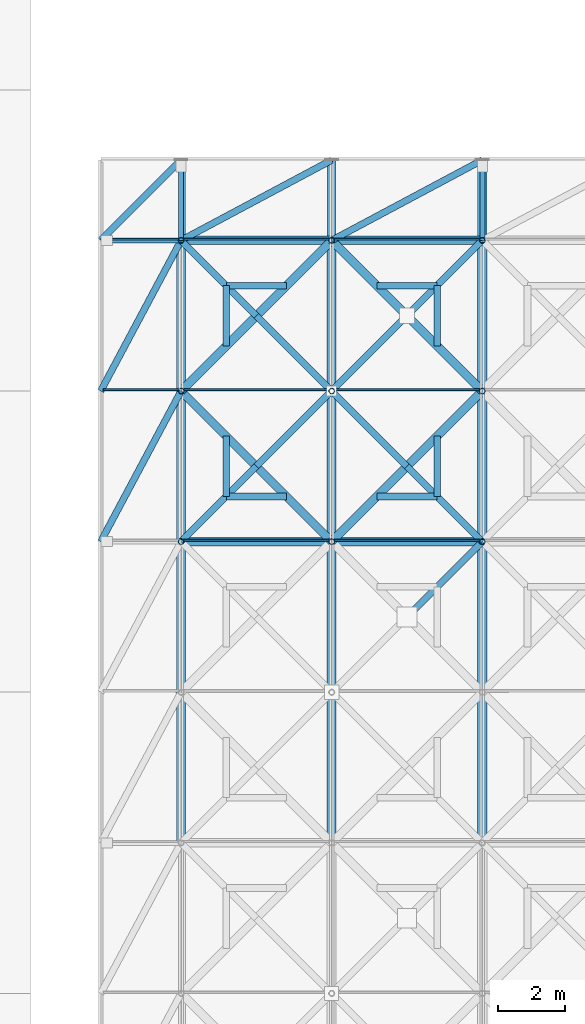
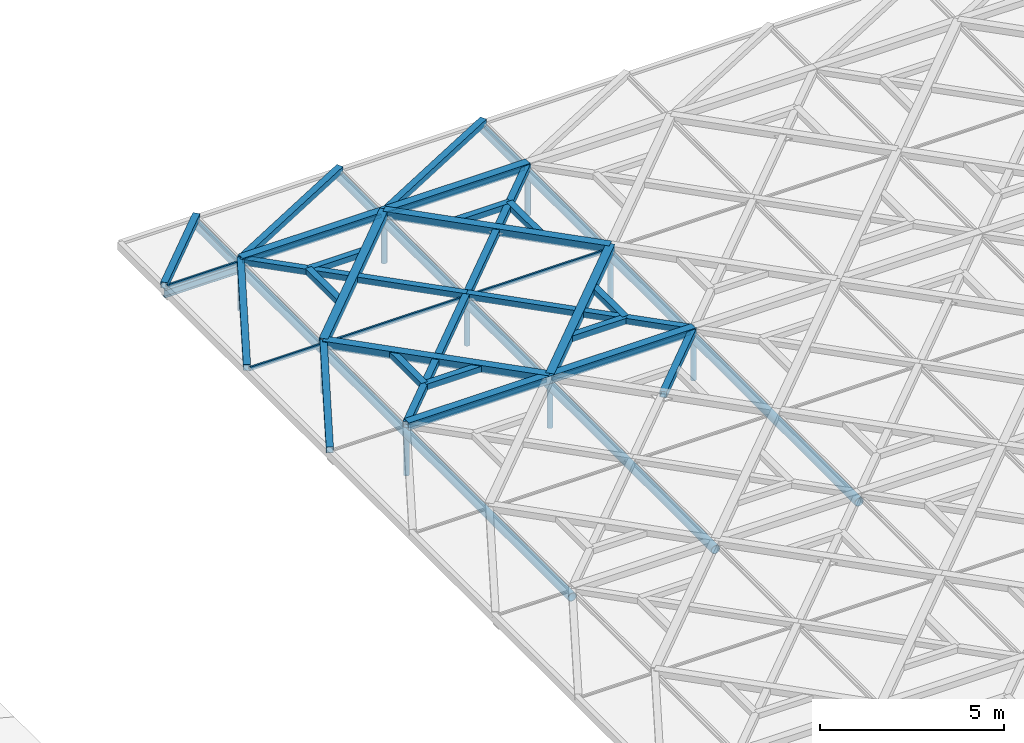
# One storey, part 16 of 80: 47 members, 3 beams, 3 elements without a shape of their own.
"""IFC4 building model written with IfcOpenShell, lengths in metres."""

from ifc_helpers import new_model, si_unit, direction, frame, origin, origin_2d, place, context, subcontext, project, spatial, rectangle, hollow_rectangle, hollow_circle, i_section, extrude, material, material_profile, profile_set, type_object, element, aggregate, save


model = new_model("IFC4")

# Units and contexts
model_context = context("Model", 3, precision=1e-05, world=origin(), true_north=direction((0.0, 1.0)))
body_context = subcontext(model_context, "Body", "Model", "MODEL_VIEW")
ifc_project = project(units=[si_unit("LENGTHUNIT", "METRE"), si_unit("AREAUNIT", "SQUARE_METRE"), si_unit("VOLUMEUNIT", "CUBIC_METRE"), si_unit("PLANEANGLEUNIT", "RADIAN"), si_unit("MASSUNIT", "GRAM", prefix="KILO"), si_unit("THERMODYNAMICTEMPERATUREUNIT", "KELVIN"), si_unit("POWERUNIT", "WATT")], contexts=[model_context])

# Site, building, storey
site_placement = place(None, origin())
site = spatial("IfcSite", under=ifc_project, at=site_placement, CompositionType="ELEMENT")
building_placement = place(site_placement, origin())
building = spatial("IfcBuilding", under=site, at=building_placement, Name="Tallowbark Science Centre", CompositionType="ELEMENT")
storey_placement = place(building_placement, frame((0.0, 0.0, 25.949951171875)))
storey = spatial("IfcBuildingStorey", under=building, at=storey_placement, Name="ROOF", CompositionType="ELEMENT", Elevation=25.949951171875)

# Beams
ifc_material_1 = material(Name="White Architectural Painted Steel Grade C350L0 (350 MPa)", Category="steel")
ifc_material_profile_1 = material_profile(ifc_material_1, i_section(OverallWidth=0.146484375, OverallDepth=0.256103515625, WebThickness=0.00634765625, FlangeThickness=0.010986328125, FilletRadius=0.0087890625, at=origin_2d()), Name="250UB37.3")
ifc_profile_set_1 = profile_set([ifc_material_profile_1], Name="White Architectural Painted Steel Grade C350L0 (350 MPa)")
beam_type = type_object("IfcBeamType", Name="BM-OUT250", PredefinedType="BEAM", material=ifc_profile_set_1)
for number, where, z_axis, x_axis, name in (
    (1, (58.5, 40.5, 0.199951171875), (0.0, 1.0, 0.0), (-1.0, 0.0, 0.0), "Star Screen Outrigger Tie Beam N-102"),
    (2, (67.5, 40.5, 0.199951171875), (0.0, 1.0, 0.0), (-1.0, 0.0, 0.0), "Star Screen Outrigger Tie Beam N-104"),
    (3, (58.5, 40.5, 0.199951171875), (-1.0, 0.0, 0.0), (0.0, -1.0, 0.0), "Star Screen Outrigger Tie Beam W-121"),
):
    element("IfcBeam", number, at=place(storey_placement, frame(where, z_axis=z_axis, x_axis=x_axis)), inside=storey, type_object=beam_type, Name=name, PredefinedType="BEAM", context=body_context, shape_type="SweptSolid", body=[
        extrude(i_section(OverallWidth=0.146484375, OverallDepth=0.256103515625, WebThickness=0.00634765625, FlangeThickness=0.010986328125, FilletRadius=0.0087890625, at=origin_2d()), origin(), (0.0, 0.0, 1.0), 2.39990234375),
    ])

# Curtain wall, members
ifc_material_2 = material(Name="Blue-Tinted Laminated Low-E Skylight Glass", Category="glass")
curtain_wall_type = type_object("IfcCurtainWallType", Name="CW-SKY-ROOF", PredefinedType="NOTDEFINED", material=ifc_material_2)
curtain_wall_1_placement = place(storey_placement, origin())
curtain_wall_1 = element("IfcCurtainWall", 4, at=curtain_wall_1_placement, inside=storey, type_object=curtain_wall_type, Name="Exhibition Star-Screen Skylight Bay 1", PredefinedType="NOTDEFINED")
ifc_material_3 = material(Name="Anodised Architectural Aluminium Alloy 6063-T6", Category="aluminium")
ifc_material_profile_2 = material_profile(ifc_material_3, rectangle(XDim=0.054931640625, YDim=0.1201171875, at=origin_2d()), Name="ALU55x120")
ifc_profile_set_2 = profile_set([ifc_material_profile_2], Name="Anodised Architectural Aluminium Alloy 6063-T6")
member_type_1 = type_object("IfcMemberType", Name="CWM-SKY-TRN", PredefinedType="USERDEFINED", material=ifc_profile_set_2)
member_1_placement = place(storey_placement, frame((56.179931640625, 36.0400390625, 0.35205078125), z_axis=(1.0, 0.0, 0.0), x_axis=(0.0, 1.0, 0.0)))
member_1 = element("IfcMember", 5, at=member_1_placement, type_object=member_type_1, Name="Skylight Bay 1 Transom 9", ObjectType="TRANSOM", PredefinedType="USERDEFINED", context=body_context, shape_type="SweptSolid", body=[
    extrude(rectangle(XDim=0.054931640625, YDim=0.1201171875, at=origin_2d()), origin(), (0.0, 0.0, 1.0), 2.239990234375),
])
member_2_placement = place(storey_placement, frame((56.179931640625, 40.5400390625, 0.35205078125), z_axis=(1.0, 0.0, 0.0), x_axis=(0.0, 1.0, 0.0)))
member_2 = element("IfcMember", 6, at=member_2_placement, type_object=member_type_1, Name="Skylight Bay 1 Transom 10", ObjectType="TRANSOM", PredefinedType="USERDEFINED", context=body_context, shape_type="SweptSolid", body=[
    extrude(rectangle(XDim=0.054931640625, YDim=0.1201171875, at=origin_2d()), origin(), (0.0, 0.0, 1.0), 2.239990234375),
])
aggregate(curtain_wall_1, [member_1, member_2])

curtain_wall_2_placement = place(storey_placement, origin())
curtain_wall_2 = element("IfcCurtainWall", 7, at=curtain_wall_2_placement, inside=storey, type_object=curtain_wall_type, Name="Exhibition Star-Screen Skylight Bay 2", PredefinedType="NOTDEFINED")
member_3_placement = place(storey_placement, frame((58.580078125, 31.5400390625, 0.35205078125), z_axis=(1.0, 0.0, 0.0), x_axis=(0.0, 1.0, 0.0)))
member_3 = element("IfcMember", 8, at=member_3_placement, type_object=member_type_1, Name="Skylight Bay 2 Transom 8", ObjectType="TRANSOM", PredefinedType="USERDEFINED", context=body_context, shape_type="SweptSolid", body=[
    extrude(rectangle(XDim=0.054931640625, YDim=0.1201171875, at=origin_2d()), origin(), (0.0, 0.0, 1.0), 4.33984375),
])
member_4_placement = place(storey_placement, frame((58.580078125, 36.0400390625, 0.35205078125), z_axis=(1.0, 0.0, 0.0), x_axis=(0.0, 1.0, 0.0)))
member_4 = element("IfcMember", 9, at=member_4_placement, type_object=member_type_1, Name="Skylight Bay 2 Transom 9", ObjectType="TRANSOM", PredefinedType="USERDEFINED", context=body_context, shape_type="SweptSolid", body=[
    extrude(rectangle(XDim=0.054931640625, YDim=0.1201171875, at=origin_2d()), origin(), (0.0, 0.0, 1.0), 4.33984375),
])
member_5_placement = place(storey_placement, frame((58.580078125, 40.5400390625, 0.35205078125), z_axis=(1.0, 0.0, 0.0), x_axis=(0.0, 1.0, 0.0)))
member_5 = element("IfcMember", 10, at=member_5_placement, type_object=member_type_1, Name="Skylight Bay 2 Transom 10", ObjectType="TRANSOM", PredefinedType="USERDEFINED", context=body_context, shape_type="SweptSolid", body=[
    extrude(rectangle(XDim=0.054931640625, YDim=0.1201171875, at=origin_2d()), origin(), (0.0, 0.0, 1.0), 4.33984375),
])
aggregate(curtain_wall_2, [member_3, member_4, member_5])

curtain_wall_3_placement = place(storey_placement, origin())
curtain_wall_3 = element("IfcCurtainWall", 11, at=curtain_wall_3_placement, inside=storey, type_object=curtain_wall_type, Name="Exhibition Star-Screen Skylight Bay 3", PredefinedType="NOTDEFINED")
member_6_placement = place(storey_placement, frame((63.080078125, 31.5400390625, 0.35205078125), z_axis=(1.0, 0.0, 0.0), x_axis=(0.0, 1.0, 0.0)))
member_6 = element("IfcMember", 12, at=member_6_placement, type_object=member_type_1, Name="Skylight Bay 3 Transom 8", ObjectType="TRANSOM", PredefinedType="USERDEFINED", context=body_context, shape_type="SweptSolid", body=[
    extrude(rectangle(XDim=0.054931640625, YDim=0.1201171875, at=origin_2d()), origin(), (0.0, 0.0, 1.0), 4.33984375),
])
member_7_placement = place(storey_placement, frame((63.080078125, 36.0400390625, 0.35205078125), z_axis=(1.0, 0.0, 0.0), x_axis=(0.0, 1.0, 0.0)))
member_7 = element("IfcMember", 13, at=member_7_placement, type_object=member_type_1, Name="Skylight Bay 3 Transom 9", ObjectType="TRANSOM", PredefinedType="USERDEFINED", context=body_context, shape_type="SweptSolid", body=[
    extrude(rectangle(XDim=0.054931640625, YDim=0.1201171875, at=origin_2d()), origin(), (0.0, 0.0, 1.0), 4.33984375),
])
member_8_placement = place(storey_placement, frame((63.080078125, 40.5400390625, 0.35205078125), z_axis=(1.0, 0.0, 0.0), x_axis=(0.0, 1.0, 0.0)))
member_8 = element("IfcMember", 14, at=member_8_placement, type_object=member_type_1, Name="Skylight Bay 3 Transom 10", ObjectType="TRANSOM", PredefinedType="USERDEFINED", context=body_context, shape_type="SweptSolid", body=[
    extrude(rectangle(XDim=0.054931640625, YDim=0.1201171875, at=origin_2d()), origin(), (0.0, 0.0, 1.0), 4.33984375),
])
aggregate(curtain_wall_3, [member_6, member_7, member_8])

# Members
ifc_material_profile_3 = material_profile(ifc_material_1, hollow_rectangle(XDim=0.25, YDim=0.25, WallThickness=0.009033203125, at=origin_2d()), Name="250x250x9.0SHS")
ifc_profile_set_3 = profile_set([ifc_material_profile_3], Name="White Architectural Painted Steel Grade C350L0 (350 MPa)")
member_type_2 = type_object("IfcMemberType", Name="SCR-CHD200", PredefinedType="CHORD", material=ifc_profile_set_3)
for number, where, z_axis, x_axis, name in (
    (15, (58.5, 31.5, 0.449951171875), (1.0, 0.0, 0.0), (0.0, 1.0, 0.0), "Star Screen Frame Chord TOP-56"),
    (16, (58.5, 40.5, 0.449951171875), (1.0, 0.0, 0.0), (0.0, 1.0, 0.0), "Star Screen Frame Chord TOP-57"),
):
    element("IfcMember", number, at=place(storey_placement, frame(where, z_axis=z_axis, x_axis=x_axis)), inside=storey, type_object=member_type_2, Name=name, PredefinedType="CHORD", context=body_context, shape_type="SweptSolid", body=[
        extrude(hollow_rectangle(XDim=0.25, YDim=0.25, WallThickness=0.009033203125, at=origin_2d()), origin(), (0.0, 0.0, 1.0), 9.0),
    ])
for number, where, z_axis, x_axis, name in (
    (17, (63.0, 31.5, 0.449951171875), (0.707106781187, 0.707106781187, 0.0), (-0.707106781187, 0.707106781187, 0.0), "Star Screen Octagram Diamond Chord TOP-57-1"),
    (18, (67.5, 36.0, 0.449951171875), (-0.707106781187, 0.707106781187, 0.0), (-0.707106781187, -0.707106781187, 0.0), "Star Screen Octagram Diamond Chord TOP-57-2"),
    (19, (63.0, 40.5, 0.449951171875), (-0.707106781187, -0.707106781187, 0.0), (0.707106781187, -0.707106781187, 0.0), "Star Screen Octagram Diamond Chord TOP-57-3"),
    (20, (58.5, 36.0, 0.449951171875), (0.707106781187, -0.707106781187, 0.0), (0.707106781187, 0.707106781187, 0.0), "Star Screen Octagram Diamond Chord TOP-57-4"),
):
    element("IfcMember", number, at=place(storey_placement, frame(where, z_axis=z_axis, x_axis=x_axis)), inside=storey, type_object=member_type_2, Name=name, PredefinedType="CHORD", context=body_context, shape_type="SweptSolid", body=[
        extrude(hollow_rectangle(XDim=0.25, YDim=0.25, WallThickness=0.009033203125, at=origin_2d()), origin(), (0.0, 0.0, 1.0), 6.364013671875),
    ])
ifc_material_profile_4 = material_profile(ifc_material_1, hollow_rectangle(XDim=0.199951171875, YDim=0.199951171875, WallThickness=0.009033203125, at=origin_2d()), Name="200x200x9.0SHS")
ifc_profile_set_4 = profile_set([ifc_material_profile_4], Name="White Architectural Painted Steel Grade C350L0 (350 MPa)")
member_type_3 = type_object("IfcMemberType", Name="SCR-STAR139", PredefinedType="BRACE", material=ifc_profile_set_4)
for number, where, z_axis, x_axis, name in (
    (21, (65.25, 29.25, 0.449951171875), (0.707106781187, 0.707106781187, 0.0), (-0.707106781187, 0.707106781187, 0.0), "Star Screen Continuous X-Diagonal D1B TOP-56"),
    (22, (58.5, 31.5, 0.449951171875), (0.707106781187, 0.707106781187, 0.0), (-0.707106781187, 0.707106781187, 0.0), "Star Screen Continuous X-Diagonal D1A TOP-57"),
):
    element("IfcMember", number, at=place(storey_placement, frame(where, z_axis=z_axis, x_axis=x_axis)), inside=storey, type_object=member_type_3, Name=name, PredefinedType="BRACE", context=body_context, shape_type="SweptSolid", body=[
        extrude(hollow_rectangle(XDim=0.199951171875, YDim=0.199951171875, WallThickness=0.009033203125, at=origin_2d()), origin(), (0.0, 0.0, 1.0), 3.181884765625),
    ])
member_9_placement = place(storey_placement, frame((60.75, 33.75, 0.449951171875), z_axis=(0.707106781187, 0.707106781187, 0.0), x_axis=(-0.707106781187, 0.707106781187, 0.0)))
element("IfcMember", 23, at=member_9_placement, inside=storey, type_object=member_type_3, Name="Star Screen Continuous X-Diagonal D1M TOP-57", PredefinedType="BRACE", context=body_context, shape_type="SweptSolid", body=[
    extrude(hollow_rectangle(XDim=0.199951171875, YDim=0.199951171875, WallThickness=0.009033203125, at=origin_2d()), origin(), (0.0, 0.0, 1.0), 6.364013671875),
])
for number, where, z_axis, x_axis, name in (
    (24, (65.25, 38.25, 0.449951171875), (0.707106781187, 0.707106781187, 0.0), (-0.707106781187, 0.707106781187, 0.0), "Star Screen Continuous X-Diagonal D1B TOP-57"),
    (25, (58.5, 40.5, 0.449951171875), (0.707106781187, -0.707106781187, 0.0), (0.707106781187, 0.707106781187, 0.0), "Star Screen Split X-Diagonal D2A TOP-57"),
    (26, (60.75, 38.25, 0.449951171875), (0.707106781187, -0.707106781187, 0.0), (0.707106781187, 0.707106781187, 0.0), "Star Screen Split X-Diagonal D2B TOP-57"),
    (27, (63.0, 36.0, 0.449951171875), (0.707106781187, -0.707106781187, 0.0), (0.707106781187, 0.707106781187, 0.0), "Star Screen Split X-Diagonal D2C TOP-57"),
    (28, (65.25, 33.75, 0.449951171875), (0.707106781187, -0.707106781187, 0.0), (0.707106781187, 0.707106781187, 0.0), "Star Screen Split X-Diagonal D2D TOP-57"),
):
    element("IfcMember", number, at=place(storey_placement, frame(where, z_axis=z_axis, x_axis=x_axis)), inside=storey, type_object=member_type_3, Name=name, PredefinedType="BRACE", context=body_context, shape_type="SweptSolid", body=[
        extrude(hollow_rectangle(XDim=0.199951171875, YDim=0.199951171875, WallThickness=0.009033203125, at=origin_2d()), origin(), (0.0, 0.0, 1.0), 3.181884765625),
    ])
for number, where, z_axis, x_axis, name in (
    (29, (56.10009765625, 31.5, 0.449951171875), (0.470573327259, 0.882360891967, 0.0), (-0.882360891967, 0.470573327259, 0.0), "Top Perimeter Gap Star Diagonal 1-8"),
    (30, (56.10009765625, 36.0, 0.449951171875), (0.470573327259, 0.882360891967, 0.0), (-0.882360891967, 0.470573327259, 0.0), "Top Perimeter Gap Star Diagonal 1-9"),
):
    element("IfcMember", number, at=place(storey_placement, frame(where, z_axis=z_axis, x_axis=x_axis)), inside=storey, type_object=member_type_3, Name=name, PredefinedType="BRACE", context=body_context, shape_type="SweptSolid", body=[
        extrude(hollow_rectangle(XDim=0.199951171875, YDim=0.199951171875, WallThickness=0.009033203125, at=origin_2d()), origin(), (0.0, 0.0, 1.0), 5.099853515625),
    ])
member_10_placement = place(storey_placement, frame((56.10009765625, 40.5, 0.449951171875), z_axis=(0.707106781187, 0.707106781187, 0.0), x_axis=(-0.707106781187, 0.707106781187, 0.0)))
element("IfcMember", 31, at=member_10_placement, inside=storey, type_object=member_type_3, Name="Top Perimeter Gap Star Diagonal 1-10", PredefinedType="BRACE", context=body_context, shape_type="SweptSolid", body=[
    extrude(hollow_rectangle(XDim=0.199951171875, YDim=0.199951171875, WallThickness=0.009033203125, at=origin_2d()), origin(), (0.0, 0.0, 1.0), 3.39404296875),
])
for number, where, z_axis, x_axis, name in (
    (32, (58.5, 40.5, 0.449951171875), (0.882360891967, 0.470573327259, 0.0), (-0.470573327259, 0.882360891967, 0.0), "Top Perimeter Gap Star Diagonal 2-10"),
    (33, (63.0, 40.5, 0.449951171875), (0.882360891967, 0.470573327259, 0.0), (-0.470573327259, 0.882360891967, 0.0), "Top Perimeter Gap Star Diagonal 3-10"),
):
    element("IfcMember", number, at=place(storey_placement, frame(where, z_axis=z_axis, x_axis=x_axis)), inside=storey, type_object=member_type_3, Name=name, PredefinedType="BRACE", context=body_context, shape_type="SweptSolid", body=[
        extrude(hollow_rectangle(XDim=0.199951171875, YDim=0.199951171875, WallThickness=0.009033203125, at=origin_2d()), origin(), (0.0, 0.0, 1.0), 5.099853515625),
    ])
ifc_material_profile_5 = material_profile(ifc_material_1, hollow_rectangle(XDim=0.199951171875, YDim=0.199951171875, WallThickness=0.009033203125, at=origin_2d()), Name="200x200x9.0SHS")
ifc_profile_set_5 = profile_set([ifc_material_profile_5], Name="White Architectural Painted Steel Grade C350L0 (350 MPa)")
member_type_4 = type_object("IfcMemberType", Name="SCR-SUB150", PredefinedType="BRACE", material=ifc_profile_set_5)
for number, where, z_axis, x_axis, name in (
    (34, (59.85009765625, 32.85009765625, 0.449951171875), (1.0, 0.0, 0.0), (0.0, 1.0, 0.0), "Star Screen Octagram Point Ray TOP-57-1"),
    (35, (59.85009765625, 32.85009765625, 0.449951171875), (0.0, 1.0, 0.0), (-1.0, 0.0, 0.0), "Star Screen Octagram Point Ray TOP-57-2"),
    (36, (66.14990234375, 32.85009765625, 0.449951171875), (-1.0, 0.0, 0.0), (0.0, -1.0, 0.0), "Star Screen Octagram Point Ray TOP-57-3"),
    (37, (66.14990234375, 32.85009765625, 0.449951171875), (0.0, 1.0, 0.0), (-1.0, 0.0, 0.0), "Star Screen Octagram Point Ray TOP-57-4"),
    (38, (66.14990234375, 39.14990234375, 0.449951171875), (-1.0, 0.0, 0.0), (0.0, -1.0, 0.0), "Star Screen Octagram Point Ray TOP-57-5"),
    (39, (66.14990234375, 39.14990234375, 0.449951171875), (0.0, -1.0, 0.0), (1.0, 0.0, 0.0), "Star Screen Octagram Point Ray TOP-57-6"),
    (40, (59.85009765625, 39.14990234375, 0.449951171875), (1.0, 0.0, 0.0), (0.0, 1.0, 0.0), "Star Screen Octagram Point Ray TOP-57-7"),
    (41, (59.85009765625, 39.14990234375, 0.449951171875), (0.0, -1.0, 0.0), (1.0, 0.0, 0.0), "Star Screen Octagram Point Ray TOP-57-8"),
):
    element("IfcMember", number, at=place(storey_placement, frame(where, z_axis=z_axis, x_axis=x_axis)), inside=storey, type_object=member_type_4, Name=name, PredefinedType="BRACE", context=body_context, shape_type="SweptSolid", body=[
        extrude(hollow_rectangle(XDim=0.199951171875, YDim=0.199951171875, WallThickness=0.009033203125, at=origin_2d()), origin(), (0.0, 0.0, 1.0), 1.7998046875),
    ])
ifc_material_profile_6 = material_profile(ifc_material_1, hollow_circle(Radius=0.136474609375, WallThickness=0.00927734375, at=origin_2d()), Name="273.1x9.3CHS")
ifc_profile_set_6 = profile_set([ifc_material_profile_6], Name="White Architectural Painted Steel Grade C350L0 (350 MPa)")
member_type_5 = type_object("IfcMemberType", Name="TR-CHD273", PredefinedType="CHORD", material=ifc_profile_set_6)
for number, where, z_axis, x_axis, name in (
    (42, (58.5, 22.5, 0.18994140625), (0.0, 1.0, 0.0), (-1.0, 0.0, 0.0), "Exhibition Roof Truss North Top Chord 1"),
    (43, (63.0, 22.5, 0.18994140625), (0.0, 1.0, 0.0), (-1.0, 0.0, 0.0), "Exhibition Roof Truss North Top Chord 2"),
    (44, (67.5, 22.5, 0.18994140625), (0.0, 1.0, 0.0), (-1.0, 0.0, 0.0), "Exhibition Roof Truss North Top Chord 3"),
):
    element("IfcMember", number, at=place(storey_placement, frame(where, z_axis=z_axis, x_axis=x_axis)), inside=storey, type_object=member_type_5, Name=name, PredefinedType="CHORD", context=body_context, shape_type="SweptSolid", body=[
        extrude(hollow_circle(Radius=0.136474609375, WallThickness=0.00927734375, at=origin_2d()), origin(), (0.0, 0.0, 1.0), 20.39990234375),
    ])
ifc_material_profile_7 = material_profile(ifc_material_1, hollow_circle(Radius=0.084228515625, WallThickness=0.007080078125, at=origin_2d()), Name="168.3x7.1CHS")
ifc_profile_set_7 = profile_set([ifc_material_profile_7], Name="White Architectural Painted Steel Grade C350L0 (350 MPa)")
member_type_6 = type_object("IfcMemberType", Name="TR-WEB168", PredefinedType="BRACE", material=ifc_profile_set_7)
for number, where, z_axis, x_axis, name in (
    (45, (58.5, 31.5, -1.199951171875), (0.0, 0.0, 1.0), (1.0, 0.0, 0.0), "Exhibition Roof Truss Web 1-31.5"),
    (46, (58.5, 36.0, -1.199951171875), (0.0, 0.0, 1.0), (1.0, 0.0, 0.0), "Exhibition Roof Truss Web 1-36"),
    (47, (58.5, 40.5, -1.199951171875), (0.0, 0.0, 1.0), (1.0, 0.0, 0.0), "Exhibition Roof Truss Web 1-40.5"),
    (48, (63.0, 31.5, -1.199951171875), (0.0, 0.0, 1.0), (1.0, 0.0, 0.0), "Exhibition Roof Truss Web 2-31.5"),
    (49, (63.0, 36.0, -1.199951171875), (0.0, 0.0, 1.0), (1.0, 0.0, 0.0), "Exhibition Roof Truss Web 2-36"),
    (50, (63.0, 40.5, -1.199951171875), (0.0, 0.0, 1.0), (1.0, 0.0, 0.0), "Exhibition Roof Truss Web 2-40.5"),
    (51, (67.5, 31.5, -1.199951171875), (0.0, 0.0, 1.0), (1.0, 0.0, 0.0), "Exhibition Roof Truss Web 3-31.5"),
    (52, (67.5, 36.0, -1.199951171875), (0.0, 0.0, 1.0), (1.0, 0.0, 0.0), "Exhibition Roof Truss Web 3-36"),
    (53, (67.5, 40.5, -1.199951171875), (0.0, 0.0, 1.0), (1.0, 0.0, 0.0), "Exhibition Roof Truss Web 3-40.5"),
):
    element("IfcMember", number, at=place(storey_placement, frame(where, z_axis=z_axis, x_axis=x_axis)), inside=storey, type_object=member_type_6, Name=name, PredefinedType="BRACE", context=body_context, shape_type="SweptSolid", body=[
        extrude(hollow_circle(Radius=0.084228515625, WallThickness=0.007080078125, at=origin_2d()), origin(), (0.0, 0.0, 1.0), 1.389892578125),
    ])

save(model, "model.ifc")
